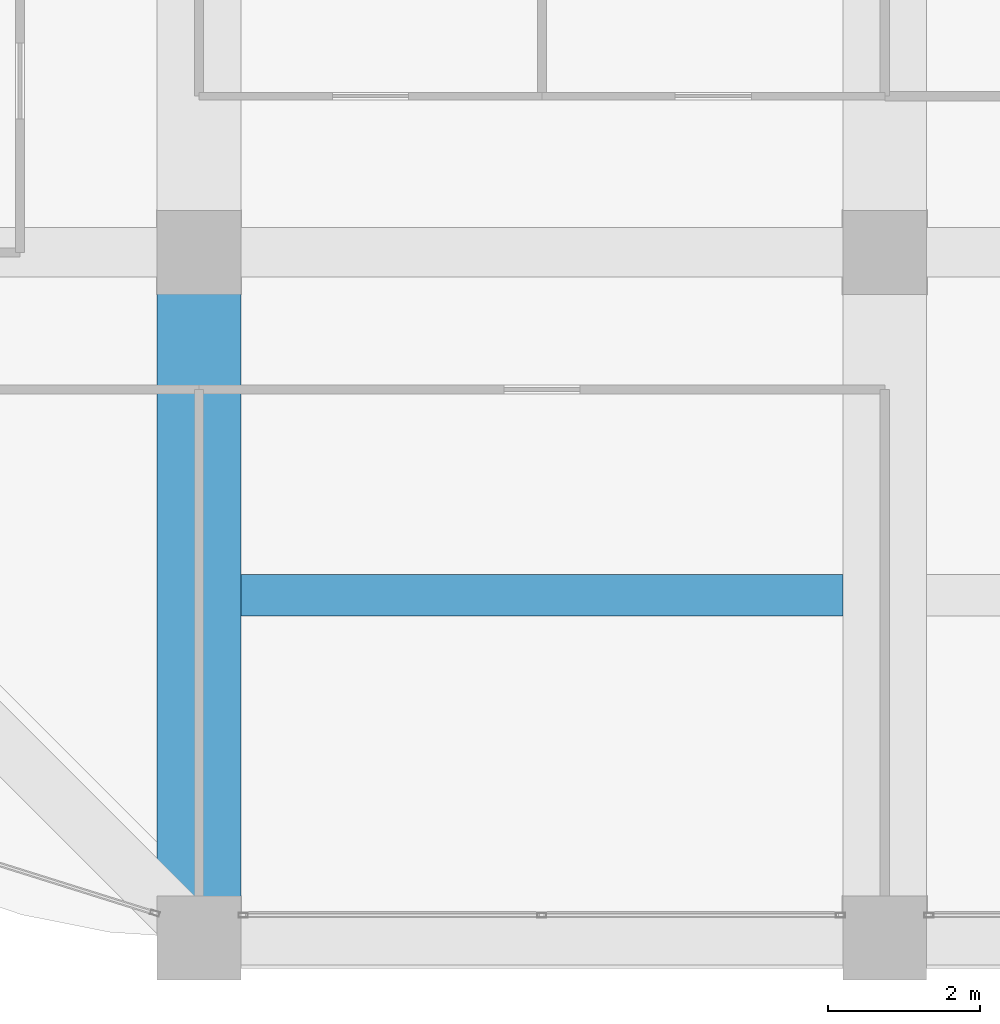
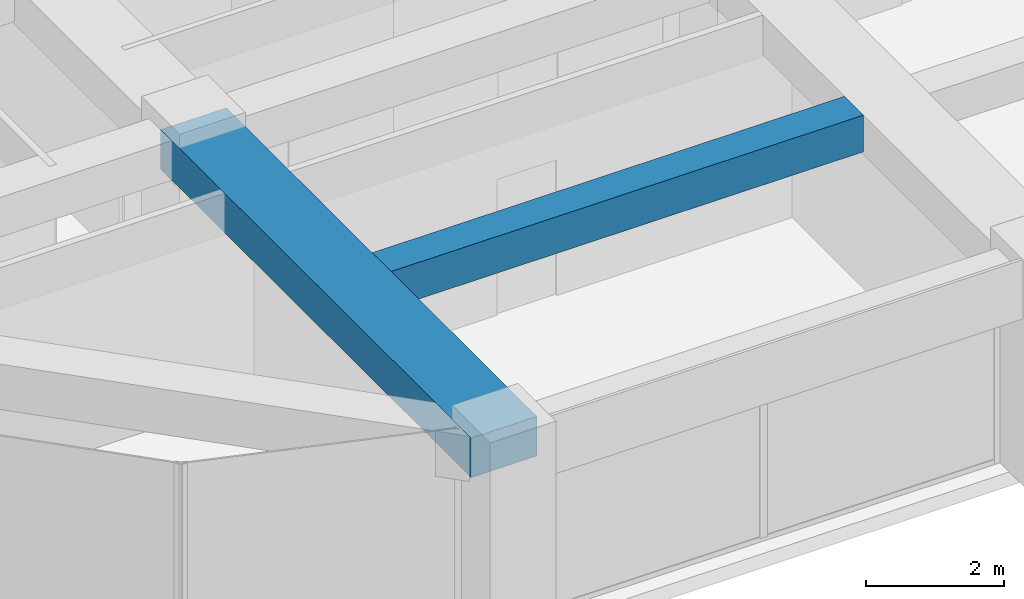
# One storey, part 5 of 44: 2 beams.
"""IFC4 building model written with IfcOpenShell, lengths in metres."""

from ifc_helpers import new_model, si_unit, direction, frame, origin, origin_2d, place, context, subcontext, project, spatial, rectangle, extrude, material, material_profile, profile_set, type_object, element, save


model = new_model("IFC4")

# Units and contexts
model_context = context("Model", 3, precision=1e-05, world=origin(), true_north=direction((0.0, 1.0)))
body_context = subcontext(model_context, "Body", "Model", "MODEL_VIEW")
ifc_project = project(units=[si_unit("LENGTHUNIT", "METRE"), si_unit("AREAUNIT", "SQUARE_METRE"), si_unit("VOLUMEUNIT", "CUBIC_METRE"), si_unit("PLANEANGLEUNIT", "RADIAN"), si_unit("MASSUNIT", "GRAM", prefix="KILO")], contexts=[model_context])

# Site, building, storey
site_placement = place(None, origin())
site = spatial("IfcSite", under=ifc_project, at=site_placement, CompositionType="ELEMENT")
building_placement = place(site_placement, origin())
building = spatial("IfcBuilding", under=site, at=building_placement, Name="Zorevar Civic Tower", CompositionType="ELEMENT")
storey_placement = place(building_placement, frame((0.0, 0.0, 287.39990234375)))
storey = spatial("IfcBuildingStorey", under=building, at=storey_placement, Name="L70", CompositionType="ELEMENT", Elevation=287.39990234375)

# Beams
ifc_material_1 = material(Name="Concrete C50/60", Category="concrete")
ifc_material_profile_1 = material_profile(ifc_material_1, rectangle(XDim=1.10009765625, YDim=0.699951171875, at=origin_2d()), Name="RC 1100x700")
ifc_profile_set_1 = profile_set([ifc_material_profile_1], Name="Concrete C50/60")
beam_type_1 = type_object("IfcBeamType", Name="Beam RC 1100x700", PredefinedType="BEAM", material=ifc_profile_set_1)
beam_1_placement = place(storey_placement, frame((18.0, 0.0, 3.400146484375), z_axis=(0.0, 1.0, 0.0), x_axis=(-1.0, 0.0, 0.0)))
element("IfcBeam", 1, at=beam_1_placement, inside=storey, type_object=beam_type_1, Name="Girder L71", PredefinedType="BEAM", context=body_context, shape_type="SweptSolid", body=[
    extrude(rectangle(XDim=1.10009765625, YDim=0.699951171875, at=origin_2d()), origin(), (0.0, 0.0, 1.0), 9.0),
])
ifc_material_2 = material(Name="Concrete C50/60", Category="concrete")
ifc_material_profile_2 = material_profile(ifc_material_2, rectangle(XDim=0.550048828125, YDim=0.64990234375, at=origin_2d()), Name="RC 550x650")
ifc_profile_set_2 = profile_set([ifc_material_profile_2], Name="Concrete C50/60")
beam_type_2 = type_object("IfcBeamType", Name="Beam RC 550x650", PredefinedType="BEAM", material=ifc_profile_set_2)
beam_2_placement = place(storey_placement, frame((18.550048828125, 4.5, 3.425048828125), z_axis=(1.0, 0.0, 0.0), x_axis=(0.0, 1.0, 0.0)))
element("IfcBeam", 2, at=beam_2_placement, inside=storey, type_object=beam_type_2, Name="Secondary beam L71", PredefinedType="BEAM", context=body_context, shape_type="SweptSolid", body=[
    extrude(rectangle(XDim=0.550048828125, YDim=0.64990234375, at=origin_2d()), origin(), (0.0, 0.0, 1.0), 7.89990234375),
])

save(model, "model.ifc")
